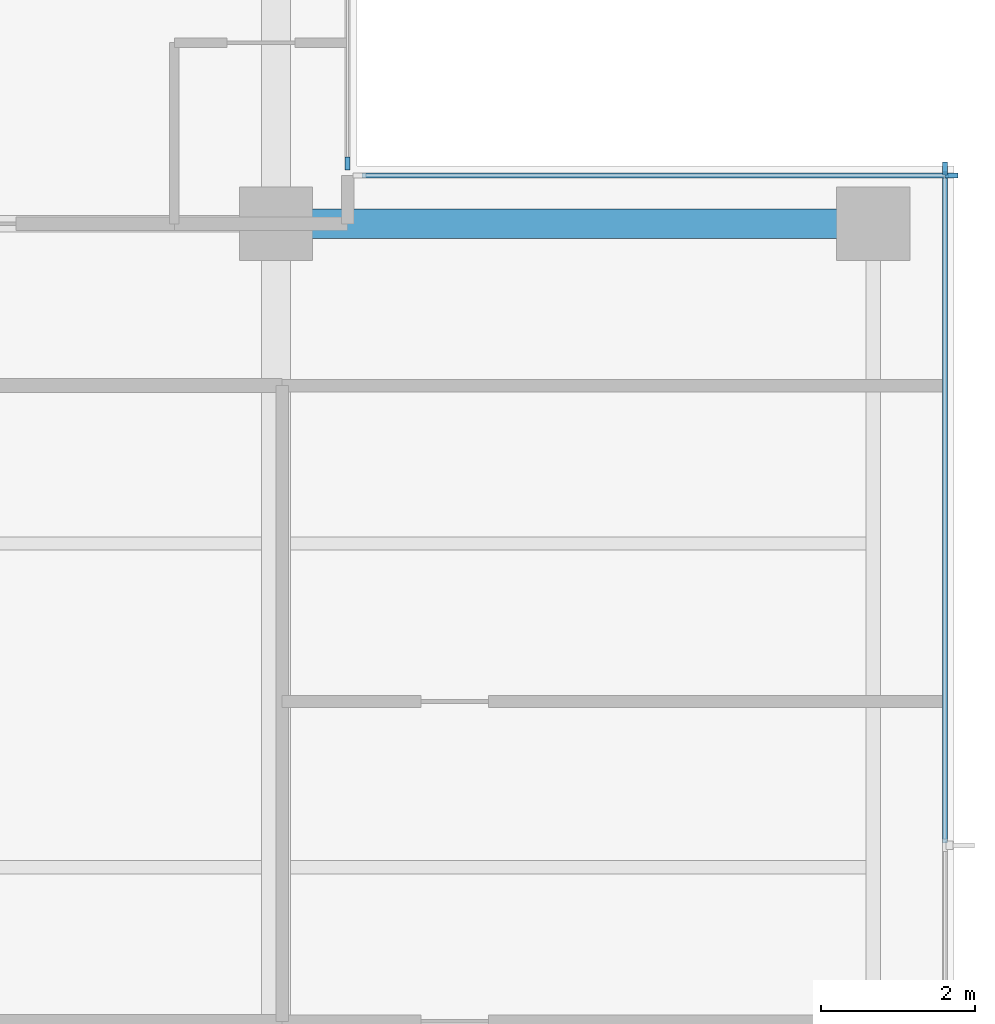
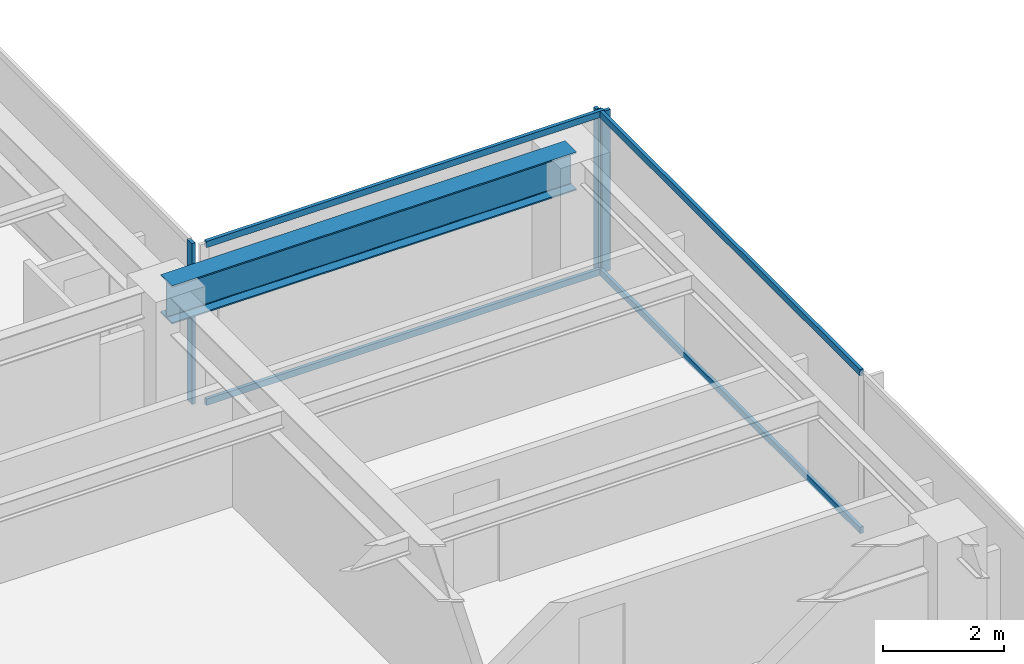
# One storey, part 4 of 14: 7 members, 1 beam, 3 elements without a shape of their own.
"""IFC4 building model written with IfcOpenShell, lengths in metres."""

import ifcopenshell
import ifcopenshell.guid

model = None  # the IFC model being written
_history = None  # IfcOwnerHistory: only IFC2X3 demands one
_inside = {}  # id of a spatial element -> (the spatial element, [elements in it])
_under = {}  # id of a project, library or spatial element -> (it, [spatial elements below it])
_declared = {}  # id of a project -> (the project, [libraries it declares])
_typed = {}  # id of a type object -> (the type object, [elements of that type])
_made_of = {}  # id of a material, layer set ... -> (it, [elements and type objects made of it])


def new_model(schema):
    """Start an empty IFC model of exactly this schema.

    Asked for "IFC4X3", IfcOpenShell would pick the latest addendum, in which some entities
    have other attributes; the version numbers below select the first issue.
    IFC2X3 requires an IfcOwnerHistory on every rooted entity: one is made here for all.
    """
    global model, _history
    if schema == "IFC4X3":
        model = ifcopenshell.file(schema_version=(4, 3, 0, 0))
    else:
        model = ifcopenshell.file(schema=schema)
    _inside.clear()
    _under.clear()
    _declared.clear()
    _typed.clear()
    _made_of.clear()
    _history = None
    if model.schema == "IFC2X3":
        org = make("IfcOrganization", Name="unknown")
        user = make(
            "IfcPersonAndOrganization",
            ThePerson=make("IfcPerson", FamilyName="unknown"),
            TheOrganization=org,
        )
        app = make(
            "IfcApplication",
            ApplicationDeveloper=org,
            Version="unknown",
            ApplicationFullName="unknown",
            ApplicationIdentifier="unknown",
        )
        _history = make(
            "IfcOwnerHistory",
            OwningUser=user,
            OwningApplication=app,
            ChangeAction="ADDED",
            CreationDate=0,
        )
    return model


def make(cls, **values):
    """One entity of the class cls with the attributes given. An attribute that is None is left unset."""
    return model.create_entity(
        cls, **{name: value for name, value in values.items() if value is not None}
    )


def rooted(cls, **values):
    """An entity with a GlobalId (a new one), such as an element, a storey or a relation."""
    return make(cls, GlobalId=ifcopenshell.guid.new(), OwnerHistory=_history, **values)


def si_unit(unit_type, name, prefix=None):
    """IfcSIUnit, for example si_unit("LENGTHUNIT", "METRE", prefix="MILLI")."""
    return make("IfcSIUnit", UnitType=unit_type, Prefix=prefix, Name=name)


def assignment(units):
    """IfcUnitAssignment: the units of a project."""
    return None if units is None else make("IfcUnitAssignment", Units=units)


def point(xyz):
    """IfcCartesianPoint."""
    return None if xyz is None else make("IfcCartesianPoint", Coordinates=xyz)


def direction(xyz):
    """IfcDirection."""
    return None if xyz is None else make("IfcDirection", DirectionRatios=xyz)


def frame(location, z_axis=None, x_axis=None):
    """IfcAxis2Placement3D, a coordinate frame: its origin and axes. An axis left out is left unset."""
    return make(
        "IfcAxis2Placement3D",
        Location=point(location),
        Axis=direction(z_axis),
        RefDirection=direction(x_axis),
    )


def frame_2d(location, x_axis=None):
    """IfcAxis2Placement2D, a coordinate frame in the plane: its origin and x axis."""
    return make(
        "IfcAxis2Placement2D", Location=point(location), RefDirection=direction(x_axis)
    )


def origin():
    """The frame at (0, 0, 0) with its axes left unset."""
    return frame((0.0, 0.0, 0.0))


def origin_2d():
    """The frame at (0, 0) in the plane with its x axis left unset."""
    return frame_2d((0.0, 0.0))


def place(relative_to, where):
    """IfcLocalPlacement: puts the frame where relative to a parent placement (None: the world)."""
    return make(
        "IfcLocalPlacement", PlacementRelTo=relative_to, RelativePlacement=where
    )


def context(
    kind, dimensions, precision=None, world=None, true_north=None, identifier=None
):
    """IfcGeometricRepresentationContext, for example the 3D "Model" context."""
    return make(
        "IfcGeometricRepresentationContext",
        ContextIdentifier=identifier,
        ContextType=kind,
        CoordinateSpaceDimension=dimensions,
        Precision=precision,
        WorldCoordinateSystem=world,
        TrueNorth=true_north,
    )


def subcontext(parent, identifier, kind, view, scale=None):
    """IfcGeometricRepresentationSubContext, for example "Body" below "Model"."""
    return make(
        "IfcGeometricRepresentationSubContext",
        ContextIdentifier=identifier,
        ContextType=kind,
        ParentContext=parent,
        TargetScale=scale,
        TargetView=view,
    )


def project(units=None, contexts=None):
    """IfcProject with its units and contexts."""
    return rooted(
        "IfcProject",
        Name="project",
        RepresentationContexts=contexts,
        UnitsInContext=assignment(units),
    )


def spatial(cls, under=None, at=None, **own):
    """A site, building, storey or space (cls), placed at a placement, below another one or the project."""
    s = rooted(cls, ObjectPlacement=at, **own)
    if under is not None:
        _under.setdefault(under.id(), (under, []))[1].append(s)
    return s


def profile(cls, at=None, kind="AREA", **sizes):
    """A parametric profile (cls). Its sizes go by their IFC names, for example OverallWidth=200.0."""
    return make(cls, ProfileType=kind, Position=at, **sizes)


def rectangle(**sizes):
    """IfcRectangleProfileDef."""
    return profile("IfcRectangleProfileDef", **sizes)


def i_section(**sizes):
    """IfcIShapeProfileDef."""
    return profile("IfcIShapeProfileDef", **sizes)


def extrude(swept, where, along, depth):
    """IfcExtrudedAreaSolid: the profile swept, set in the frame where, extruded along a direction by depth."""
    return make(
        "IfcExtrudedAreaSolid",
        SweptArea=swept,
        Position=where,
        ExtrudedDirection=direction(along),
        Depth=depth,
    )


def shape(context_of_items, identifier, shape_type, items):
    """IfcShapeRepresentation: the items that make up one representation, for example the "Body"."""
    return make(
        "IfcShapeRepresentation",
        ContextOfItems=context_of_items,
        RepresentationIdentifier=identifier,
        RepresentationType=shape_type,
        Items=items,
    )


def material(Name=None, Category=None):
    """IfcMaterial."""
    return make("IfcMaterial", Name=Name, Category=Category)


def layer(
    of_material, thickness, ventilated=None, Name=None, Category=None, Priority=None
):
    """IfcMaterialLayer: one layer of a wall or slab, of a material (None: an air gap)."""
    return make(
        "IfcMaterialLayer",
        Material=of_material,
        LayerThickness=thickness,
        IsVentilated=ventilated,
        Name=Name,
        Category=Category,
        Priority=Priority,
    )


def layer_set(layers, Name=None):
    """IfcMaterialLayerSet."""
    return make("IfcMaterialLayerSet", MaterialLayers=layers, LayerSetName=Name)


def material_profile(
    of_material, cross_section, Name=None, Category=None, Priority=None
):
    """IfcMaterialProfile: a cross section and its material."""
    return make(
        "IfcMaterialProfile",
        Name=Name,
        Material=of_material,
        Profile=cross_section,
        Priority=Priority,
        Category=Category,
    )


def profile_set(profiles, Name=None, composite=None):
    """IfcMaterialProfileSet."""
    return make(
        "IfcMaterialProfileSet",
        Name=Name,
        MaterialProfiles=profiles,
        CompositeProfile=composite,
    )


def made_of(thing, what):
    """Note that an element or type object is made of a material, layer set ...; save() writes the relation."""
    if what is not None:
        _made_of.setdefault(what.id(), (what, []))[1].append(thing)
    return thing


def type_object(cls, material=None, **own):
    """A type object (cls), such as IfcWallType, which elements share."""
    return made_of(rooted(cls, **own), material)


def element(
    cls,
    number,
    at=None,
    inside=None,
    cuts=None,
    type_object=None,
    material=None,
    context=None,
    identifier="Body",
    shape_type=None,
    held_by="IfcProductDefinitionShape",
    body=None,
    shapes=None,
    **own,
):
    """One element of the class cls, such as IfcWall. Its Tag is "e" and its number.

    at: its placement. inside: the storey or other place that contains it. cuts: it is an
    opening in that element (IfcRelVoidsElement). A single representation is given by context,
    identifier, shape_type and body (its items); several are given by shapes. held_by: the class
    of the entity that holds the representations. save() writes the other relations.
    """
    e = rooted(cls, Tag="e%d" % number, ObjectPlacement=at, **own)
    if body is not None:
        shapes = [shape(context, identifier, shape_type, body)]
    if shapes is not None:
        e.Representation = make(held_by, Representations=shapes)
    if inside is not None:
        _inside.setdefault(inside.id(), (inside, []))[1].append(e)
    if cuts is not None:
        rooted(
            "IfcRelVoidsElement", RelatingBuildingElement=cuts, RelatedOpeningElement=e
        )
    if type_object is not None:
        _typed.setdefault(type_object.id(), (type_object, []))[1].append(e)
    return made_of(e, material)


def aggregate(whole, parts):
    """IfcRelAggregates: a whole, such as a stair, and the parts it consists of."""
    return rooted("IfcRelAggregates", RelatingObject=whole, RelatedObjects=parts)


def save(model, path):
    """Write the relations noted so far, then the file.

    IfcRelAggregates (storeys below a building ...), IfcRelContainedInSpatialStructure (elements
    in a storey), IfcRelDefinesByType, IfcRelAssociatesMaterial and IfcRelDeclares: one each for
    every whole, place, type object, material and project.
    """
    for whole, parts in _under.values():
        aggregate(whole, parts)
    for where, things in _inside.values():
        rooted(
            "IfcRelContainedInSpatialStructure",
            RelatedElements=things,
            RelatingStructure=where,
        )
    for kind, things in _typed.values():
        rooted("IfcRelDefinesByType", RelatedObjects=things, RelatingType=kind)
    for what, things in _made_of.values():
        rooted("IfcRelAssociatesMaterial", RelatedObjects=things, RelatingMaterial=what)
    for by, libraries in _declared.values():
        rooted("IfcRelDeclares", RelatingContext=by, RelatedDefinitions=libraries)
    model.write(path)


model = new_model("IFC4")

# Units and contexts
model_context = context("Model", 3, precision=1e-05, world=origin(), true_north=direction((0.0, 1.0)))
body_context = subcontext(model_context, "Body", "Model", "MODEL_VIEW")
ifc_project = project(units=[si_unit("LENGTHUNIT", "METRE"), si_unit("AREAUNIT", "SQUARE_METRE"), si_unit("VOLUMEUNIT", "CUBIC_METRE"), si_unit("PLANEANGLEUNIT", "RADIAN"), si_unit("MASSUNIT", "GRAM", prefix="KILO")], contexts=[model_context])

# Site, building, storey
site_placement = place(None, origin())
site = spatial("IfcSite", under=ifc_project, at=site_placement, CompositionType="ELEMENT")
building_placement = place(site_placement, origin())
building = spatial("IfcBuilding", under=site, at=building_placement, Name="Qalmaran Belvedere Hotel", CompositionType="ELEMENT")
storey_placement = place(building_placement, frame((0.0, 0.0, 210.89990234375)))
storey = spatial("IfcBuildingStorey", under=building, at=storey_placement, Name="L53", CompositionType="ELEMENT", Elevation=210.89990234375)

# Beam
ifc_material_1 = material(Name="Steel S355JR", Category="steel")
ifc_material_profile_1 = material_profile(ifc_material_1, i_section(OverallWidth=0.381103515625, OverallDepth=0.77294921875, WebThickness=0.0166015625, FlangeThickness=0.027099609375, FilletRadius=0.02197265625, at=origin_2d()), Name="W760X257")
ifc_profile_set_1 = profile_set([ifc_material_profile_1], Name="Steel S355JR")
beam_type = type_object("IfcBeamType", Name="BM-PG4-W760X257", PredefinedType="USERDEFINED", material=ifc_profile_set_1)
beam_placement = place(storey_placement, frame((44.800048828125, 33.0, 2.87353515625), z_axis=(1.0, 0.0, 0.0), x_axis=(0.0, 1.0, 0.0)))
element("IfcBeam", 1, at=beam_placement, inside=storey, type_object=beam_type, Name="L53 East Wing Girder 27", ObjectType="GIRDER", PredefinedType="USERDEFINED", context=body_context, shape_type="SweptSolid", body=[
    extrude(i_section(OverallWidth=0.381103515625, OverallDepth=0.77294921875, WebThickness=0.0166015625, FlangeThickness=0.027099609375, FilletRadius=0.02197265625, at=origin_2d()), origin(), (0.0, 0.0, 1.0), 7.75),
])

# Curtain wall, member
ifc_material_2 = material(Name="Anodised Bronze Aluminium", Category="aluminium")
ifc_layer = layer(ifc_material_2, 0.18994140625, Name="Anodised Bronze Aluminium")
ifc_layer_set = layer_set([ifc_layer], Name="Anodised Bronze Aluminium")
curtain_wall_type = type_object("IfcCurtainWallType", Name="CW5-TOWER-UPPER", PredefinedType="NOTDEFINED", material=ifc_layer_set)
curtain_wall_1_placement = place(storey_placement, origin())
curtain_wall_1 = element("IfcCurtainWall", 2, at=curtain_wall_1_placement, inside=storey, type_object=curtain_wall_type, Name="L53 Curtain Wall CW5", PredefinedType="NOTDEFINED")
ifc_material_profile_2 = material_profile(ifc_material_2, rectangle(XDim=0.06494140625, YDim=0.1650390625, at=origin_2d()), Name="CWM65X165")
ifc_profile_set_2 = profile_set([ifc_material_profile_2], Name="Anodised Bronze Aluminium")
member_type_1 = type_object("IfcMemberType", Name="CWM-65X165", PredefinedType="MULLION", material=ifc_profile_set_2)
member_1_placement = place(storey_placement, frame((53.47998046875, 33.717529296875, 0.0), z_axis=(0.0, 0.0, 1.0), x_axis=(-1.0, 0.0, 0.0)))
member_1 = element("IfcMember", 3, at=member_1_placement, type_object=member_type_1, Name="CW5 mullion 4", PredefinedType="MULLION", context=body_context, shape_type="SweptSolid", body=[
    extrude(rectangle(XDim=0.06494140625, YDim=0.1650390625, at=origin_2d()), origin(), (0.0, 0.0, 1.0), 3.260009765625),
])

curtain_wall_2_placement = place(storey_placement, origin())
curtain_wall_2 = element("IfcCurtainWall", 4, at=curtain_wall_2_placement, inside=storey, type_object=curtain_wall_type, Name="L53 Curtain Wall CW5", PredefinedType="NOTDEFINED")
member_2_placement = place(storey_placement, frame((53.5673828125, 33.6298828125, 0.0), z_axis=(0.0, 0.0, 1.0), x_axis=(0.0, -1.0, 0.0)))
member_2 = element("IfcMember", 5, at=member_2_placement, type_object=member_type_1, Name="CW5 mullion 1", PredefinedType="MULLION", context=body_context, shape_type="SweptSolid", body=[
    extrude(rectangle(XDim=0.06494140625, YDim=0.1650390625, at=origin_2d()), origin(), (0.0, 0.0, 1.0), 3.260009765625),
])

curtain_wall_3_placement = place(storey_placement, origin())
curtain_wall_3 = element("IfcCurtainWall", 6, at=curtain_wall_3_placement, inside=storey, type_object=curtain_wall_type, Name="L53 Curtain Wall CW5", PredefinedType="NOTDEFINED")
member_3_placement = place(storey_placement, frame((45.72998046875, 33.782470703125, 0.0), z_axis=(0.0, 0.0, 1.0), x_axis=(-1.0, 0.0, 0.0)))
member_3 = element("IfcMember", 7, at=member_3_placement, type_object=member_type_1, Name="CW5 mullion 1", PredefinedType="MULLION", context=body_context, shape_type="SweptSolid", body=[
    extrude(rectangle(XDim=0.06494140625, YDim=0.1650390625, at=origin_2d()), origin(), (0.0, 0.0, 1.0), 3.260009765625),
])
aggregate(curtain_wall_3, [member_3])

# Member
ifc_material_profile_3 = material_profile(ifc_material_2, rectangle(XDim=0.06494140625, YDim=0.1298828125, at=origin_2d()), Name="CWT65X130")
ifc_profile_set_3 = profile_set([ifc_material_profile_3], Name="Anodised Bronze Aluminium")
member_type_2 = type_object("IfcMemberType", Name="CWT-65X130", PredefinedType="USERDEFINED", material=ifc_profile_set_3)
member_4_placement = place(storey_placement, frame((53.47998046875, 24.9658203125, 0.03271484375), z_axis=(0.0, 1.0, 0.0), x_axis=(-1.0, 0.0, 0.0)))
member_4 = element("IfcMember", 8, at=member_4_placement, type_object=member_type_2, Name="CW5 transom 3.1", ObjectType="TRANSOM", PredefinedType="USERDEFINED", context=body_context, shape_type="SweptSolid", body=[
    extrude(rectangle(XDim=0.06494140625, YDim=0.1298828125, at=origin_2d()), origin(), (0.0, 0.0, 1.0), 8.71923828125),
])

member_5_placement = place(storey_placement, frame((53.47998046875, 24.9658203125, 3.2275390625), z_axis=(0.0, 1.0, 0.0), x_axis=(-1.0, 0.0, 0.0)))
member_5 = element("IfcMember", 9, at=member_5_placement, type_object=member_type_2, Name="CW5 transom 3.2", ObjectType="TRANSOM", PredefinedType="USERDEFINED", context=body_context, shape_type="SweptSolid", body=[
    extrude(rectangle(XDim=0.06494140625, YDim=0.1298828125, at=origin_2d()), origin(), (0.0, 0.0, 1.0), 8.71923828125),
])

aggregate(curtain_wall_1, [member_1, member_4, member_5])

member_6_placement = place(storey_placement, frame((53.534912109375, 33.6298828125, 0.03271484375), z_axis=(-1.0, 0.0, 0.0), x_axis=(0.0, -1.0, 0.0)))
member_6 = element("IfcMember", 10, at=member_6_placement, type_object=member_type_2, Name="CW5 transom 1.1", ObjectType="TRANSOM", PredefinedType="USERDEFINED", context=body_context, shape_type="SweptSolid", body=[
    extrude(rectangle(XDim=0.06494140625, YDim=0.1298828125, at=origin_2d()), origin(), (0.0, 0.0, 1.0), 7.619873046875),
])

member_7_placement = place(storey_placement, frame((53.534912109375, 33.6298828125, 3.2275390625), z_axis=(-1.0, 0.0, 0.0), x_axis=(0.0, -1.0, 0.0)))
member_7 = element("IfcMember", 11, at=member_7_placement, type_object=member_type_2, Name="CW5 transom 1.2", ObjectType="TRANSOM", PredefinedType="USERDEFINED", context=body_context, shape_type="SweptSolid", body=[
    extrude(rectangle(XDim=0.06494140625, YDim=0.1298828125, at=origin_2d()), origin(), (0.0, 0.0, 1.0), 7.619873046875),
])

aggregate(curtain_wall_2, [member_2, member_6, member_7])

save(model, "model.ifc")
